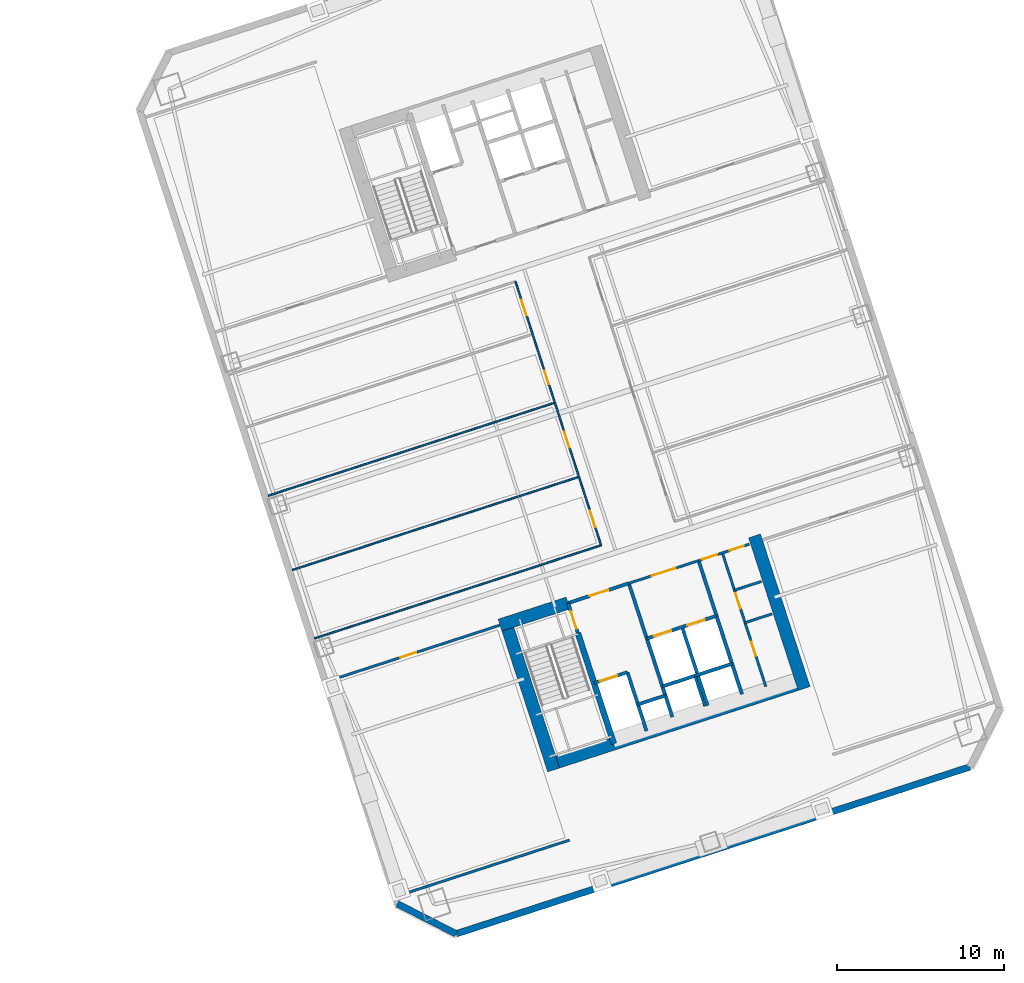
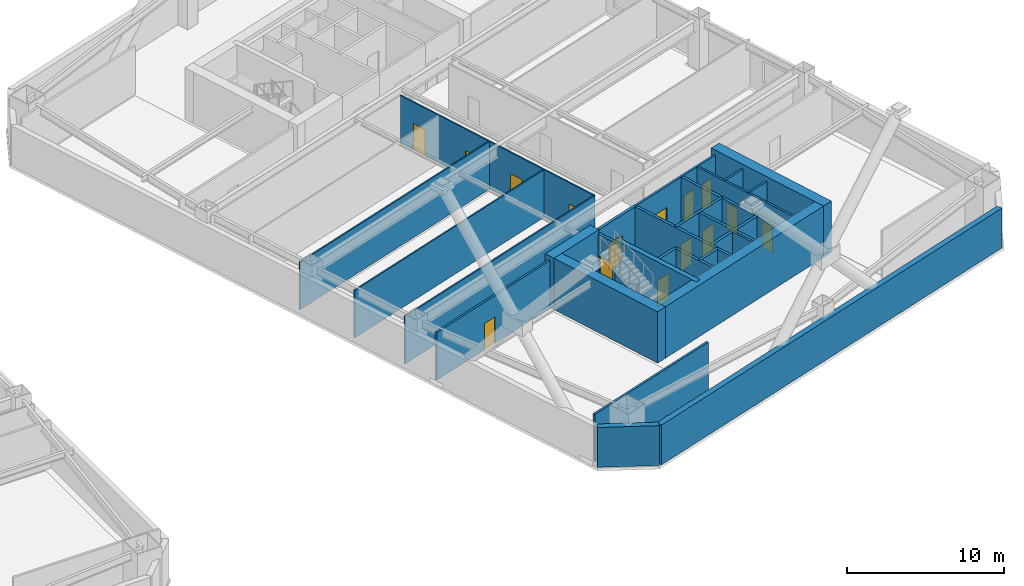
# One storey, part 7 of 18: 29 walls, 15 doors, 15 openings.
"""IFC4 building model written with IfcOpenShell, lengths in metres."""

from ifc_helpers import new_model, si_unit, direction, frame, frame_2d, origin, place, context, subcontext, project, spatial, rectangle, extrude, material, layer, layer_set, type_object, element, fill, save


model = new_model("IFC4")

# Units and contexts
model_context = context("Model", 3, precision=1e-05, world=origin(), true_north=direction((0.0, 1.0)))
body_context = subcontext(model_context, "Body", "Model", "MODEL_VIEW")
ifc_project = project(units=[si_unit("LENGTHUNIT", "METRE"), si_unit("AREAUNIT", "SQUARE_METRE"), si_unit("VOLUMEUNIT", "CUBIC_METRE"), si_unit("PLANEANGLEUNIT", "RADIAN"), si_unit("MASSUNIT", "GRAM", prefix="KILO")], contexts=[model_context])

# Site, building, storey
site_placement = place(None, origin())
site = spatial("IfcSite", under=ifc_project, at=site_placement, CompositionType="ELEMENT")
building_placement = place(site_placement, origin())
building = spatial("IfcBuilding", under=site, at=building_placement, Name="Qiaolan Cultural Towers", CompositionType="ELEMENT")
storey_placement = place(building_placement, frame((0.0, 0.0, 42.0)))
storey = spatial("IfcBuildingStorey", under=building, at=storey_placement, Name="L09", CompositionType="ELEMENT", Elevation=42.0)

# Walls
ifc_material_1 = material(Name="Concrete C50", Category="concrete")
ifc_layer_1 = layer(ifc_material_1, 0.35009765625)
ifc_layer_set_1 = layer_set([ifc_layer_1], Name="Concrete C50")
wall_type_1 = type_object("IfcWallType", Name="WL-CORE-350", PredefinedType="SHEAR", material=ifc_layer_set_1)
wall_1_placement = place(storey_placement, frame((90.486328125, 20.59423828125, 0.0), z_axis=(0.0, 0.0, 1.0), x_axis=(0.309020428229, -0.951055400562, 0.0)))
element("IfcWall", 1, at=wall_1_placement, inside=storey, type_object=wall_type_1, Name="L09 T2-CS Stair Core Dividing Web", PredefinedType="SHEAR", context=body_context, shape_type="SweptSolid", body=[
    extrude(rectangle(XDim=6.97998046875, YDim=0.35009765625, at=frame_2d((3.489990234375, 0.0))), origin(), (0.0, 0.0, 1.0), 4.0),
])
ifc_material_2 = material(Name="Concrete C60", Category="concrete")
ifc_layer_2 = layer(ifc_material_2, 0.75)
ifc_layer_set_2 = layer_set([ifc_layer_2], Name="Concrete C60")
wall_type_2 = type_object("IfcWallType", Name="WL-CORE-750", PredefinedType="SHEAR", material=ifc_layer_set_2)
wall_2_placement = place(storey_placement, frame((88.55859375, 12.628662109375, 0.0), z_axis=(0.0, 0.0, 1.0), x_axis=(0.951056072937, 0.309018358888, 0.0)))
element("IfcWall", 2, at=wall_2_placement, inside=storey, type_object=wall_type_2, Name="L09 T2-CS Outer Core Shear Wall", PredefinedType="SHEAR", context=body_context, shape_type="SweptSolid", body=[
    extrude(rectangle(XDim=16.550048828125, YDim=0.75, at=frame_2d((8.27490234375, 0.0))), origin(), (0.0, 0.0, 1.0), 4.0),
])
wall_3_placement = place(storey_placement, frame((86.05517578125, 21.54638671875, 0.0), z_axis=(0.0, 0.0, 1.0), x_axis=(0.309023585745, -0.951054374604, 0.0)))
element("IfcWall", 3, at=wall_3_placement, inside=storey, type_object=wall_type_2, Name="L09 T2-CS West Core Shear Wall", PredefinedType="SHEAR", context=body_context, shape_type="SweptSolid", body=[
    extrude(rectangle(XDim=9.6298828125, YDim=0.75, at=frame_2d((4.81494140625, 0.0))), origin(), (0.0, 0.0, 1.0), 4.0),
])
wall_4_placement = place(storey_placement, frame((101.08203125, 26.428955078125, 0.0), z_axis=(0.0, 0.0, 1.0), x_axis=(0.309016134813, -0.951056795583, 0.0)))
element("IfcWall", 4, at=wall_4_placement, inside=storey, type_object=wall_type_2, Name="L09 T2-CS East Core Shear Wall", PredefinedType="SHEAR", context=body_context, shape_type="SweptSolid", body=[
    extrude(rectangle(XDim=9.630126953125, YDim=0.75, at=frame_2d((4.81494140625, 0.0))), origin(), (0.0, 0.0, 1.0), 4.0),
])
wall_5_placement = place(storey_placement, frame((85.814453125, 21.073974609375, 0.0), z_axis=(0.0, 0.0, 1.0), x_axis=(0.95106580992, 0.308988390074, 0.0)))
element("IfcWall", 5, at=wall_5_placement, inside=storey, type_object=wall_type_2, Name="L09 T2-CS Stair Front Shear Wall", PredefinedType="SHEAR", context=body_context, shape_type="SweptSolid", body=[
    extrude(rectangle(XDim=4.295166015625, YDim=0.75, at=frame_2d((2.1474609375, 0.0))), origin(), (0.0, 0.0, 1.0), 4.0),
])
ifc_material_3 = material(Name="Precast Concrete C50 Honed Stone Pier", Category="masonry")
ifc_layer_3 = layer(ifc_material_3, 0.39990234375)
ifc_layer_set_3 = layer_set([ifc_layer_3], Name="Precast Concrete C50 Honed Stone Pier")
wall_type_3 = type_object("IfcWallType", Name="WL-EXT-PIER-400", PredefinedType="SOLIDWALL", material=ifc_layer_set_3)
wall_6_placement = place(storey_placement, frame((113.997802734375, 12.566650390625, 0.0), z_axis=(0.0, 0.0, 1.0), x_axis=(-0.951055939317, -0.309018770125, 0.0)))
element("IfcWall", 6, at=wall_6_placement, inside=storey, type_object=wall_type_3, Name="L09 East Tower Precast Pier Facade Wall F7", PredefinedType="SOLIDWALL", context=body_context, shape_type="SweptSolid", body=[
    extrude(rectangle(XDim=32.39990234375, YDim=0.39990234375, at=frame_2d((16.199951171875, 0.0))), origin(), (0.0, 0.0, 1.0), 3.10009765625),
])
wall_7_placement = place(storey_placement, frame((83.18359375, 2.554443359375, 0.0), z_axis=(0.0, 0.0, 1.0), x_axis=(-0.890998089617, 0.454007053137, 0.0)))
element("IfcWall", 7, at=wall_7_placement, inside=storey, type_object=wall_type_3, Name="L09 East Tower Precast Pier Facade Wall F8", PredefinedType="SOLIDWALL", context=body_context, shape_type="SweptSolid", body=[
    extrude(rectangle(XDim=3.9599609375, YDim=0.39990234375, at=frame_2d((1.97998046875, 0.0))), origin(), (0.0, 0.0, 1.0), 3.10009765625),
])

# Wall, opening, door
ifc_material_4 = material(Name="Concrete C35 Fire Wall", Category="concrete")
ifc_layer_4 = layer(ifc_material_4, 0.199951171875)
ifc_layer_set_4 = layer_set([ifc_layer_4], Name="Concrete C35 Fire Wall")
wall_type_4 = type_object("IfcWallType", Name="WL-FIRE-200", PredefinedType="PARTITIONING", material=ifc_layer_set_4)
wall_8_placement = place(storey_placement, frame((89.8994140625, 22.401123046875, 0.0), z_axis=(0.0, 0.0, 1.0), x_axis=(0.308932062672, -0.951084108086, 0.0)))
wall_8 = element("IfcWall", 8, at=wall_8_placement, inside=storey, type_object=wall_type_4, Name="L09 T2-CS Smokeproof Stair Entry Wall", PredefinedType="PARTITIONING", context=body_context, shape_type="SweptSolid", body=[
    extrude(rectangle(XDim=1.89990234375, YDim=0.199951171875, at=frame_2d((0.949951171875, 0.0))), origin(), (0.0, 0.0, 1.0), 3.705078125),
])
opening_1_placement = place(wall_8_placement, frame((0.52001953125, 0.0, 0.0)))
opening_1 = element("IfcOpeningElement", 9, at=opening_1_placement, cuts=wall_8, Name="Opening FD-04", PredefinedType="OPENING", context=body_context, shape_type="SweptSolid", body=[
    extrude(rectangle(XDim=1.10009765625, YDim=2.050048828125, at=frame_2d((0.550048828125, 1.02490234375))), frame((0.0, 0.10986328125, 0.0), z_axis=(0.0, -1.0, 0.0), x_axis=(1.0, 0.0, 0.0)), (0.0, 0.0, 1.0), 0.219970703125),
])
ifc_material_5 = material(Name="Galvanized Steel Command Fire Door", Category="steel")
door_type_1 = type_object("IfcDoorType", Name="DR-FD90-1100", OperationType="NOTDEFINED", PredefinedType="DOOR", material=ifc_material_5)
door_1_placement = place(opening_1_placement, origin())
door_1 = element("IfcDoor", 10, at=door_1_placement, inside=storey, type_object=door_type_1, Name="L09 ST-E1 Smokeproof Stair Fire Door", OperationType="SINGLE_SWING_LEFT", OverallHeight=2.050048828125, OverallWidth=1.10009765625, PredefinedType="DOOR", context=body_context, shape_type="SweptSolid", body=[
    extrude(rectangle(XDim=1.10009765625, YDim=2.050048828125, at=frame_2d((0.550048828125, 1.02490234375))), frame((0.0, 0.02490234375, 0.0), z_axis=(0.0, -1.0, 0.0), x_axis=(1.0, 0.0, 0.0)), (0.0, 0.0, 1.0), 0.050048828125),
])
fill(opening_1, door_1)

# Wall
wall_9_placement = place(storey_placement, frame((93.541748046875, 23.584716796875, 0.0), z_axis=(0.0, 0.0, 1.0), x_axis=(0.309042196757, -0.951048327176, 0.0)))
element("IfcWall", 11, at=wall_9_placement, inside=storey, type_object=wall_type_4, Name="L09 T2-CS Firefighting Zone Wall", PredefinedType="PARTITIONING", context=body_context, shape_type="SweptSolid", body=[
    extrude(rectangle(XDim=8.429931640625, YDim=0.199951171875, at=frame_2d((4.21484375, 0.0))), origin(), (0.0, 0.0, 1.0), 3.705078125),
])

# Wall, opening, door
wall_10_placement = place(storey_placement, frame((89.8994140625, 22.401123046875, 0.0), z_axis=(0.0, 0.0, 1.0), x_axis=(0.951046716504, 0.309047153403, 0.0)))
wall_10 = element("IfcWall", 12, at=wall_10_placement, inside=storey, type_object=wall_type_4, Name="L09 T2-CS Firefighting Lobby Front Wall", PredefinedType="PARTITIONING", context=body_context, shape_type="SweptSolid", body=[
    extrude(rectangle(XDim=3.829833984375, YDim=0.199951171875, at=frame_2d((1.9150390625, 0.0))), origin(), (0.0, 0.0, 1.0), 3.705078125),
])
opening_2_placement = place(wall_10_placement, frame((1.35009765625, 0.0, 0.0)))
opening_2 = element("IfcOpeningElement", 13, at=opening_2_placement, cuts=wall_10, Name="Opening FD-03", PredefinedType="OPENING", context=body_context, shape_type="SweptSolid", body=[
    extrude(rectangle(XDim=1.199951171875, YDim=2.050048828125, at=frame_2d((0.60009765625, 1.02490234375))), frame((0.0, 0.10986328125, 0.0), z_axis=(0.0, -1.0, 0.0), x_axis=(1.0, 0.0, 0.0)), (0.0, 0.0, 1.0), 0.219970703125),
])
ifc_material_6 = material(Name="Galvanized Steel Smokeproof Lobby Fire Door", Category="steel")
door_type_2 = type_object("IfcDoorType", Name="DR-FD90-1200", OperationType="NOTDEFINED", PredefinedType="DOOR", material=ifc_material_6)
door_2_placement = place(opening_2_placement, origin())
door_2 = element("IfcDoor", 14, at=door_2_placement, inside=storey, type_object=door_type_2, Name="L09 FFL-E1 Firefighting Lobby Fire Door", OperationType="SINGLE_SWING_LEFT", OverallHeight=2.050048828125, OverallWidth=1.199951171875, PredefinedType="DOOR", context=body_context, shape_type="SweptSolid", body=[
    extrude(rectangle(XDim=1.199951171875, YDim=2.050048828125, at=frame_2d((0.60009765625, 1.02490234375))), frame((0.0, 0.02490234375, 0.0), z_axis=(0.0, -1.0, 0.0), x_axis=(1.0, 0.0, 0.0)), (0.0, 0.0, 1.0), 0.050048828125),
])
fill(opening_2, door_2)

wall_11_placement = place(storey_placement, frame((91.459716796875, 17.598388671875, 0.0), z_axis=(0.0, 0.0, 1.0), x_axis=(0.951062257173, 0.308999325213, 0.0)))
wall_11 = element("IfcWall", 15, at=wall_11_placement, inside=storey, type_object=wall_type_4, Name="L09 T2-CS Firefighting Shaft Front Wall", PredefinedType="PARTITIONING", context=body_context, shape_type="SweptSolid", body=[
    extrude(rectangle(XDim=2.10009765625, YDim=0.199951171875, at=frame_2d((1.050048828125, 0.0))), origin(), (0.0, 0.0, 1.0), 3.705078125),
])
opening_3_placement = place(wall_11_placement, frame((0.35009765625, 0.0, 0.0)))
opening_3 = element("IfcOpeningElement", 16, at=opening_3_placement, cuts=wall_11, Name="Opening LD-01", PredefinedType="OPENING", context=body_context, shape_type="SweptSolid", body=[
    extrude(rectangle(XDim=1.10009765625, YDim=2.050048828125, at=frame_2d((0.550048828125, 1.02490234375))), frame((0.0, 0.10986328125, 0.0), z_axis=(0.0, -1.0, 0.0), x_axis=(1.0, 0.0, 0.0)), (0.0, 0.0, 1.0), 0.219970703125),
])
ifc_material_7 = material(Name="Brushed Stainless Steel S30408 Centre-Parting Lift Landing Door", Category="steel")
door_type_3 = type_object("IfcDoorType", Name="DR-LIFT-1100", OperationType="NOTDEFINED", PredefinedType="DOOR", material=ifc_material_7)
door_3_placement = place(opening_3_placement, origin())
door_3 = element("IfcDoor", 17, at=door_3_placement, inside=storey, type_object=door_type_3, Name="L09 FFL-E1 Firefighting Lift Landing Door", OperationType="DOUBLE_DOOR_SLIDING", OverallHeight=2.050048828125, OverallWidth=1.10009765625, PredefinedType="DOOR", context=body_context, shape_type="SweptSolid", body=[
    extrude(rectangle(XDim=1.10009765625, YDim=2.050048828125, at=frame_2d((0.550048828125, 1.02490234375))), frame((0.0, 0.02490234375, 0.0), z_axis=(0.0, -1.0, 0.0), x_axis=(1.0, 0.0, 0.0)), (0.0, 0.0, 1.0), 0.050048828125),
])
fill(opening_3, door_3)

# Walls
wall_12_placement = place(storey_placement, frame((93.45703125, 18.247314453125, 0.0), z_axis=(0.0, 0.0, 1.0), x_axis=(0.3089935693, -0.951064127245, 0.0)))
element("IfcWall", 18, at=wall_12_placement, inside=storey, type_object=wall_type_4, Name="L09 T2-CS Firefighting Hoistway East Wall", PredefinedType="PARTITIONING", context=body_context, shape_type="SweptSolid", body=[
    extrude(rectangle(XDim=3.7001953125, YDim=0.199951171875, at=frame_2d((1.85009765625, 0.0))), origin(), (0.0, 0.0, 1.0), 3.705078125),
])
wall_13_placement = place(storey_placement, frame((94.08447265625, 16.316650390625, 0.0), z_axis=(0.0, 0.0, 1.0), x_axis=(0.951041328149, 0.309063734775, 0.0)))
element("IfcWall", 19, at=wall_13_placement, inside=storey, type_object=wall_type_4, Name="L09 T2-CS Pressurization Shaft Front Wall", PredefinedType="PARTITIONING", context=body_context, shape_type="SweptSolid", body=[
    extrude(rectangle(XDim=1.72998046875, YDim=0.199951171875, at=frame_2d((0.864990234375, 0.0))), origin(), (0.0, 0.0, 1.0), 3.705078125),
])
wall_14_placement = place(storey_placement, frame((97.7265625, 24.9443359375, 0.0), z_axis=(0.0, 0.0, 1.0), x_axis=(0.309016001439, -0.951056838919, 0.0)))
element("IfcWall", 20, at=wall_14_placement, inside=storey, type_object=wall_type_4, Name="L09 T2-CS Lift Core East Wall", PredefinedType="PARTITIONING", context=body_context, shape_type="SweptSolid", body=[
    extrude(rectangle(XDim=8.429931640625, YDim=0.199951171875, at=frame_2d((4.21484375, 0.0))), origin(), (0.0, 0.0, 1.0), 3.705078125),
])

# Wall, openings, doors
wall_15_placement = place(storey_placement, frame((94.6171875, 20.275146484375, 0.0), z_axis=(0.0, 0.0, 1.0), x_axis=(0.951058531764, 0.30901079133, 0.0)))
wall_15 = element("IfcWall", 21, at=wall_15_placement, inside=storey, type_object=wall_type_4, Name="L09 T2-CS Passenger Lift Shaft Front Wall", PredefinedType="PARTITIONING", context=body_context, shape_type="SweptSolid", body=[
    extrude(rectangle(XDim=4.39990234375, YDim=0.199951171875, at=frame_2d((2.199951171875, 0.0))), origin(), (0.0, 0.0, 1.0), 3.705078125),
])
opening_4_placement = place(wall_15_placement, frame((0.449951171875, 0.0, 0.0)))
opening_4 = element("IfcOpeningElement", 22, at=opening_4_placement, cuts=wall_15, Name="Opening LD-01", PredefinedType="OPENING", context=body_context, shape_type="SweptSolid", body=[
    extrude(rectangle(XDim=1.10009765625, YDim=2.050048828125, at=frame_2d((0.550048828125, 1.02490234375))), frame((0.0, 0.10986328125, 0.0), z_axis=(0.0, -1.0, 0.0), x_axis=(1.0, 0.0, 0.0)), (0.0, 0.0, 1.0), 0.219970703125),
])
opening_5_placement = place(wall_15_placement, frame((2.550048828125, 0.0, 0.0)))
opening_5 = element("IfcOpeningElement", 23, at=opening_5_placement, cuts=wall_15, Name="Opening LD-01", PredefinedType="OPENING", context=body_context, shape_type="SweptSolid", body=[
    extrude(rectangle(XDim=1.10009765625, YDim=2.050048828125, at=frame_2d((0.550048828125, 1.02490234375))), frame((0.0, 0.10986328125, 0.0), z_axis=(0.0, -1.0, 0.0), x_axis=(1.0, 0.0, 0.0)), (0.0, 0.0, 1.0), 0.219970703125),
])
door_4_placement = place(opening_4_placement, origin())
door_4 = element("IfcDoor", 24, at=door_4_placement, inside=storey, type_object=door_type_3, Name="L09 Passenger Lift 1 Landing Door", OperationType="DOUBLE_DOOR_SLIDING", OverallHeight=2.050048828125, OverallWidth=1.10009765625, PredefinedType="DOOR", context=body_context, shape_type="SweptSolid", body=[
    extrude(rectangle(XDim=1.10009765625, YDim=2.050048828125, at=frame_2d((0.550048828125, 1.02490234375))), frame((0.0, 0.02490234375, 0.0), z_axis=(0.0, -1.0, 0.0), x_axis=(1.0, 0.0, 0.0)), (0.0, 0.0, 1.0), 0.050048828125),
])
fill(opening_4, door_4)
door_5_placement = place(opening_5_placement, origin())
door_5 = element("IfcDoor", 25, at=door_5_placement, inside=storey, type_object=door_type_3, Name="L09 Passenger Lift 2 Landing Door", OperationType="DOUBLE_DOOR_SLIDING", OverallHeight=2.050048828125, OverallWidth=1.10009765625, PredefinedType="DOOR", context=body_context, shape_type="SweptSolid", body=[
    extrude(rectangle(XDim=1.10009765625, YDim=2.050048828125, at=frame_2d((0.550048828125, 1.02490234375))), frame((0.0, 0.02490234375, 0.0), z_axis=(0.0, -1.0, 0.0), x_axis=(1.0, 0.0, 0.0)), (0.0, 0.0, 1.0), 0.050048828125),
])
fill(opening_5, door_5)

# Walls
wall_16_placement = place(storey_placement, frame((96.738037109375, 20.964111328125, 0.0), z_axis=(0.0, 0.0, 1.0), x_axis=(0.309042578481, -0.951048203135, 0.0)))
element("IfcWall", 26, at=wall_16_placement, inside=storey, type_object=wall_type_4, Name="L09 T2-CS Lift Shaft Divider Wall", PredefinedType="PARTITIONING", context=body_context, shape_type="SweptSolid", body=[
    extrude(rectangle(XDim=4.9501953125, YDim=0.199951171875, at=frame_2d((2.47509765625, 0.0))), origin(), (0.0, 0.0, 1.0), 3.705078125),
])
wall_17_placement = place(storey_placement, frame((95.550537109375, 17.40283203125, 0.0), z_axis=(0.0, 0.0, 1.0), x_axis=(0.951058531764, 0.30901079133, 0.0)))
element("IfcWall", 27, at=wall_17_placement, inside=storey, type_object=wall_type_4, Name="L09 T2-CS Passenger Lift Shaft Back Wall", PredefinedType="PARTITIONING", context=body_context, shape_type="SweptSolid", body=[
    extrude(rectangle(XDim=4.39990234375, YDim=0.199951171875, at=frame_2d((2.199951171875, 0.0))), origin(), (0.0, 0.0, 1.0), 3.705078125),
])
ifc_material_8 = material(Name="Acoustic Double-Glazed Partition Frame", Category="glass")
ifc_layer_5 = layer(ifc_material_8, 0.10009765625)
ifc_layer_set_5 = layer_set([ifc_layer_5], Name="Acoustic Double-Glazed Partition Frame")
wall_type_5 = type_object("IfcWallType", Name="WL-GLAZED-100", PredefinedType="MOVABLE", material=ifc_layer_set_5)
wall_18_placement = place(storey_placement, frame((74.691162109375, 20.277587890625, 0.0), z_axis=(0.0, 0.0, 1.0), x_axis=(0.951053521786, 0.309026210375, 0.0)))
element("IfcWall", 28, at=wall_18_placement, inside=storey, type_object=wall_type_5, Name="L09 T2 South Corridor Left Wall", PredefinedType="MOVABLE", context=body_context, shape_type="SweptSolid", body=[
    extrude(rectangle(XDim=18.0751953125, YDim=0.10009765625, at=frame_2d((9.03759765625, 0.0))), origin(), (0.0, 0.0, 1.0), 3.705078125),
])

# Wall, openings, doors
wall_19_placement = place(storey_placement, frame((91.881591796875, 25.86328125, 0.0), z_axis=(0.0, 0.0, 1.0), x_axis=(-0.309022042254, 0.951054876125, 0.0)))
wall_19 = element("IfcWall", 29, at=wall_19_placement, inside=storey, type_object=wall_type_5, Name="L09 T2 West Spine Wall", PredefinedType="MOVABLE", context=body_context, shape_type="SweptSolid", body=[
    extrude(rectangle(XDim=16.639892578125, YDim=0.10009765625, at=frame_2d((8.31982421875, 0.0))), origin(), (0.0, 0.0, 1.0), 3.705078125),
])
opening_6_placement = place(wall_19_placement, frame((1.159912109375, 0.0, 0.0)))
opening_6 = element("IfcOpeningElement", 30, at=opening_6_placement, cuts=wall_19, Name="Opening ID-04", PredefinedType="OPENING", context=body_context, shape_type="SweptSolid", body=[
    extrude(rectangle(XDim=1.0, YDim=2.050048828125, at=frame_2d((0.5, 1.02490234375))), frame((0.0, 0.06005859375, 0.0), z_axis=(0.0, -1.0, 0.0), x_axis=(1.0, 0.0, 0.0)), (0.0, 0.0, 1.0), 0.1201171875),
])
opening_7_placement = place(wall_19_placement, frame((6.159912109375, 0.0, 0.0)))
opening_7 = element("IfcOpeningElement", 31, at=opening_7_placement, cuts=wall_19, Name="Opening ID-04", PredefinedType="OPENING", context=body_context, shape_type="SweptSolid", body=[
    extrude(rectangle(XDim=1.0, YDim=2.050048828125, at=frame_2d((0.5, 1.02490234375))), frame((0.0, 0.06005859375, 0.0), z_axis=(0.0, -1.0, 0.0), x_axis=(1.0, 0.0, 0.0)), (0.0, 0.0, 1.0), 0.1201171875),
])
opening_8_placement = place(wall_19_placement, frame((10.159912109375, 0.0, 0.0)))
opening_8 = element("IfcOpeningElement", 32, at=opening_8_placement, cuts=wall_19, Name="Opening ID-09", PredefinedType="OPENING", context=body_context, shape_type="SweptSolid", body=[
    extrude(rectangle(XDim=0.85009765625, YDim=2.050048828125, at=frame_2d((0.425048828125, 1.02490234375))), frame((0.0, 0.06005859375, 0.0), z_axis=(0.0, -1.0, 0.0), x_axis=(1.0, 0.0, 0.0)), (0.0, 0.0, 1.0), 0.1201171875),
])
opening_9_placement = place(wall_19_placement, frame((14.47998046875, 0.0, 0.0)))
opening_9 = element("IfcOpeningElement", 33, at=opening_9_placement, cuts=wall_19, Name="Opening ID-04", PredefinedType="OPENING", context=body_context, shape_type="SweptSolid", body=[
    extrude(rectangle(XDim=1.0, YDim=2.050048828125, at=frame_2d((0.5, 1.02490234375))), frame((0.0, 0.06005859375, 0.0), z_axis=(0.0, -1.0, 0.0), x_axis=(1.0, 0.0, 0.0)), (0.0, 0.0, 1.0), 0.1201171875),
])
ifc_material_9 = material(Name="Oak Veneer Acoustic Office Door", Category="timber")
door_type_4 = type_object("IfcDoorType", Name="DR-INT-1000", OperationType="NOTDEFINED", PredefinedType="DOOR", material=ifc_material_9)
door_6_placement = place(opening_6_placement, origin())
door_6 = element("IfcDoor", 34, at=door_6_placement, inside=storey, type_object=door_type_4, Name="L09 T2 Project Briefing Room Door", OperationType="SINGLE_SWING_LEFT", OverallHeight=2.050048828125, OverallWidth=1.0, PredefinedType="DOOR", context=body_context, shape_type="SweptSolid", body=[
    extrude(rectangle(XDim=1.0, YDim=2.050048828125, at=frame_2d((0.5, 1.02490234375))), frame((0.0, 0.02490234375, 0.0), z_axis=(0.0, -1.0, 0.0), x_axis=(1.0, 0.0, 0.0)), (0.0, 0.0, 1.0), 0.050048828125),
])
fill(opening_6, door_6)
door_7_placement = place(opening_7_placement, origin())
door_7 = element("IfcDoor", 35, at=door_7_placement, inside=storey, type_object=door_type_4, Name="L09 T2 Curatorial Research Office Door", OperationType="SINGLE_SWING_LEFT", OverallHeight=2.050048828125, OverallWidth=1.0, PredefinedType="DOOR", context=body_context, shape_type="SweptSolid", body=[
    extrude(rectangle(XDim=1.0, YDim=2.050048828125, at=frame_2d((0.5, 1.02490234375))), frame((0.0, 0.02490234375, 0.0), z_axis=(0.0, -1.0, 0.0), x_axis=(1.0, 0.0, 0.0)), (0.0, 0.0, 1.0), 0.050048828125),
])
fill(opening_7, door_7)
door_8_placement = place(opening_9_placement, origin())
door_8 = element("IfcDoor", 36, at=door_8_placement, inside=storey, type_object=door_type_4, Name="L09 T2 Staff Lounge Door", OperationType="SINGLE_SWING_RIGHT", OverallHeight=2.050048828125, OverallWidth=1.0, PredefinedType="DOOR", context=body_context, shape_type="SweptSolid", body=[
    extrude(rectangle(XDim=1.0, YDim=2.050048828125, at=frame_2d((0.5, 1.02490234375))), frame((0.0, 0.02490234375, 0.0), z_axis=(0.0, -1.0, 0.0), x_axis=(1.0, 0.0, 0.0)), (0.0, 0.0, 1.0), 0.050048828125),
])
fill(opening_9, door_8)
ifc_material_10 = material(Name="Moisture-Resistant Laminate Utility Door", Category="timber")
door_type_5 = type_object("IfcDoorType", Name="DR-INT-850", OperationType="NOTDEFINED", PredefinedType="DOOR", material=ifc_material_10)
door_9_placement = place(opening_8_placement, origin())
door_9 = element("IfcDoor", 37, at=door_9_placement, inside=storey, type_object=door_type_5, Name="L09 T2 Wellness Consultation Room Door", OperationType="SINGLE_SWING_RIGHT", OverallHeight=2.050048828125, OverallWidth=0.85009765625, PredefinedType="DOOR", context=body_context, shape_type="SweptSolid", body=[
    extrude(rectangle(XDim=0.85009765625, YDim=2.050048828125, at=frame_2d((0.425048828125, 1.02490234375))), frame((0.0, 0.02490234375, 0.0), z_axis=(0.0, -1.0, 0.0), x_axis=(1.0, 0.0, 0.0)), (0.0, 0.0, 1.0), 0.050048828125),
])
fill(opening_8, door_9)

# Walls
for number, where, z_axis, x_axis, name in (
    (38, (73.356201171875, 24.38623046875, 0.0), (0.0, 0.0, 1.0), (0.951057491432, 0.309013993197, 0.0), "L09 T2 West Partition 2"),
    (39, (71.909912109375, 28.837158203125, 0.0), (0.0, 0.0, 1.0), (0.951057491432, 0.309013993197, 0.0), "L09 T2 West Partition 3"),
):
    element("IfcWall", number, at=place(storey_placement, frame(where, z_axis=z_axis, x_axis=x_axis)), inside=storey, type_object=wall_type_5, Name=name, PredefinedType="MOVABLE", context=body_context, shape_type="SweptSolid", body=[
        extrude(rectangle(XDim=18.074951171875, YDim=0.10009765625, at=frame_2d((9.03759765625, 0.0))), origin(), (0.0, 0.0, 1.0), 3.705078125),
    ])

# Wall, opening, door
ifc_material_11 = material(Name="Autoclaved Aerated Concrete Block B06", Category="concrete")
ifc_layer_6 = layer(ifc_material_11, 0.14990234375)
ifc_layer_set_6 = layer_set([ifc_layer_6], Name="Autoclaved Aerated Concrete Block B06")
wall_type_6 = type_object("IfcWallType", Name="WL-PART-150", PredefinedType="PARTITIONING", material=ifc_layer_set_6)
wall_20_placement = place(storey_placement, frame((93.541748046875, 23.584716796875, 0.0), z_axis=(0.0, 0.0, 1.0), x_axis=(0.951063829732, 0.308994485023, 0.0)))
wall_20 = element("IfcWall", 40, at=wall_20_placement, inside=storey, type_object=wall_type_6, Name="L09 T2-CS Passenger Lift Lobby Front Wall", PredefinedType="PARTITIONING", context=body_context, shape_type="SweptSolid", body=[
    extrude(rectangle(XDim=4.400146484375, YDim=0.14990234375, at=frame_2d((2.2001953125, 0.0))), origin(), (0.0, 0.0, 1.0), 3.705078125),
])
opening_10_placement = place(wall_20_placement, frame((1.449951171875, 0.0, 0.0)))
opening_10 = element("IfcOpeningElement", 41, at=opening_10_placement, cuts=wall_20, Name="Opening FD-05", PredefinedType="OPENING", context=body_context, shape_type="SweptSolid", body=[
    extrude(rectangle(XDim=1.5, YDim=2.050048828125, at=frame_2d((0.75, 1.02490234375))), frame((0.0, 0.0849609375, 0.0), z_axis=(0.0, -1.0, 0.0), x_axis=(1.0, 0.0, 0.0)), (0.0, 0.0, 1.0), 0.169921875),
])
ifc_material_12 = material(Name="Painted Steel Lift Lobby Fire Door", Category="steel")
door_type_6 = type_object("IfcDoorType", Name="DR-FD60-1500", OperationType="NOTDEFINED", PredefinedType="DOOR", material=ifc_material_12)
door_10_placement = place(opening_10_placement, origin())
door_10 = element("IfcDoor", 42, at=door_10_placement, inside=storey, type_object=door_type_6, Name="L09 Passenger Lift Lobby Entrance", OperationType="SINGLE_SWING_LEFT", OverallHeight=2.050048828125, OverallWidth=1.5, PredefinedType="DOOR", context=body_context, shape_type="SweptSolid", body=[
    extrude(rectangle(XDim=1.5, YDim=2.050048828125, at=frame_2d((0.75, 1.02490234375))), frame((0.0, 0.02490234375, 0.0), z_axis=(0.0, -1.0, 0.0), x_axis=(1.0, 0.0, 0.0)), (0.0, 0.0, 1.0), 0.050048828125),
])
fill(opening_10, door_10)

# Wall
wall_21_placement = place(storey_placement, frame((97.515625, 17.98876953125, 0.0), z_axis=(0.0, 0.0, 1.0), x_axis=(0.30897153969, -0.951071284217, 0.0)))
element("IfcWall", 43, at=wall_21_placement, inside=storey, type_object=wall_type_6, Name="L09 T2-CS Core Rear Split Wall", PredefinedType="PARTITIONING", context=body_context, shape_type="SweptSolid", body=[
    extrude(rectangle(XDim=1.8798828125, YDim=0.14990234375, at=frame_2d((0.93994140625, 0.0))), origin(), (0.0, 0.0, 1.0), 3.705078125),
])

# Wall, openings, doors
wall_22_placement = place(storey_placement, frame((97.7265625, 24.9443359375, 0.0), z_axis=(0.0, 0.0, 1.0), x_axis=(0.951036872128, 0.309077446369, 0.0)))
wall_22 = element("IfcWall", 44, at=wall_22_placement, inside=storey, type_object=wall_type_6, Name="L09 T2-CS Sanitary Core Front Wall", PredefinedType="PARTITIONING", context=body_context, shape_type="SweptSolid", body=[
    extrude(rectangle(XDim=3.199951171875, YDim=0.14990234375, at=frame_2d((1.60009765625, 0.0))), origin(), (0.0, 0.0, 1.0), 3.705078125),
])
opening_11_placement = place(wall_22_placement, frame((0.219970703125, 0.0, 0.0)))
opening_11 = element("IfcOpeningElement", 45, at=opening_11_placement, cuts=wall_22, Name="Opening ID-05", PredefinedType="OPENING", context=body_context, shape_type="SweptSolid", body=[
    extrude(rectangle(XDim=0.949951171875, YDim=2.050048828125, at=frame_2d((0.47509765625, 1.02490234375))), frame((0.0, 0.0849609375, 0.0), z_axis=(0.0, -1.0, 0.0), x_axis=(1.0, 0.0, 0.0)), (0.0, 0.0, 1.0), 0.169921875),
])
opening_12_placement = place(wall_22_placement, frame((1.949951171875, 0.0, 0.0)))
opening_12 = element("IfcOpeningElement", 46, at=opening_12_placement, cuts=wall_22, Name="Opening ID-06", PredefinedType="OPENING", context=body_context, shape_type="SweptSolid", body=[
    extrude(rectangle(XDim=0.89990234375, YDim=2.050048828125, at=frame_2d((0.449951171875, 1.02490234375))), frame((0.0, 0.0849609375, 0.0), z_axis=(0.0, -1.0, 0.0), x_axis=(1.0, 0.0, 0.0)), (0.0, 0.0, 1.0), 0.169921875),
])
ifc_material_13 = material(Name="Fire-Rated Laminate Core Service Door", Category="timber")
door_type_7 = type_object("IfcDoorType", Name="DR-INT-900", OperationType="NOTDEFINED", PredefinedType="DOOR", material=ifc_material_13)
door_11_placement = place(opening_12_placement, origin())
door_11 = element("IfcDoor", 47, at=door_11_placement, inside=storey, type_object=door_type_7, Name="L09 Core Tea Pantry Door", OperationType="SINGLE_SWING_RIGHT", OverallHeight=2.050048828125, OverallWidth=0.89990234375, PredefinedType="DOOR", context=body_context, shape_type="SweptSolid", body=[
    extrude(rectangle(XDim=0.89990234375, YDim=2.050048828125, at=frame_2d((0.449951171875, 1.02490234375))), frame((0.0, 0.02490234375, 0.0), z_axis=(0.0, -1.0, 0.0), x_axis=(1.0, 0.0, 0.0)), (0.0, 0.0, 1.0), 0.050048828125),
])
fill(opening_12, door_11)
ifc_material_14 = material(Name="Fire-Rated Laminate Accessible Core Door", Category="timber")
door_type_8 = type_object("IfcDoorType", Name="DR-INT-950", OperationType="NOTDEFINED", PredefinedType="DOOR", material=ifc_material_14)
door_12_placement = place(opening_11_placement, origin())
door_12 = element("IfcDoor", 48, at=door_12_placement, inside=storey, type_object=door_type_8, Name="L09 Sanitary Passage Door", OperationType="SINGLE_SWING_LEFT", OverallHeight=2.050048828125, OverallWidth=0.949951171875, PredefinedType="DOOR", context=body_context, shape_type="SweptSolid", body=[
    extrude(rectangle(XDim=0.949951171875, YDim=2.050048828125, at=frame_2d((0.47509765625, 1.02490234375))), frame((0.0, 0.02490234375, 0.0), z_axis=(0.0, -1.0, 0.0), x_axis=(1.0, 0.0, 0.0)), (0.0, 0.0, 1.0), 0.050048828125),
])
fill(opening_11, door_12)

wall_23_placement = place(storey_placement, frame((99.153076171875, 25.407958984375, 0.0), z_axis=(0.0, 0.0, 1.0), x_axis=(0.309016001439, -0.951056838919, 0.0)))
wall_23 = element("IfcWall", 49, at=wall_23_placement, inside=storey, type_object=wall_type_6, Name="L09 T2-CS Sanitary Corridor Wall", PredefinedType="PARTITIONING", context=body_context, shape_type="SweptSolid", body=[
    extrude(rectangle(XDim=8.429931640625, YDim=0.14990234375, at=frame_2d((4.21484375, 0.0))), origin(), (0.0, 0.0, 1.0), 3.705078125),
])
opening_13_placement = place(wall_23_placement, frame((2.550048828125, 0.0, 0.0)))
opening_13 = element("IfcOpeningElement", 50, at=opening_13_placement, cuts=wall_23, Name="Opening ID-05", PredefinedType="OPENING", context=body_context, shape_type="SweptSolid", body=[
    extrude(rectangle(XDim=0.949951171875, YDim=2.050048828125, at=frame_2d((0.47509765625, 1.02490234375))), frame((0.0, 0.0849609375, 0.0), z_axis=(0.0, -1.0, 0.0), x_axis=(1.0, 0.0, 0.0)), (0.0, 0.0, 1.0), 0.169921875),
])
opening_14_placement = place(wall_23_placement, frame((5.60009765625, 0.0, 0.0)))
opening_14 = element("IfcOpeningElement", 51, at=opening_14_placement, cuts=wall_23, Name="Opening ID-06", PredefinedType="OPENING", context=body_context, shape_type="SweptSolid", body=[
    extrude(rectangle(XDim=0.89990234375, YDim=2.050048828125, at=frame_2d((0.449951171875, 1.02490234375))), frame((0.0, 0.0849609375, 0.0), z_axis=(0.0, -1.0, 0.0), x_axis=(1.0, 0.0, 0.0)), (0.0, 0.0, 1.0), 0.169921875),
])
door_13_placement = place(opening_14_placement, origin())
door_13 = element("IfcDoor", 52, at=door_13_placement, inside=storey, type_object=door_type_7, Name="L09 Staff Restroom Door", OperationType="SINGLE_SWING_RIGHT", OverallHeight=2.050048828125, OverallWidth=0.89990234375, PredefinedType="DOOR", context=body_context, shape_type="SweptSolid", body=[
    extrude(rectangle(XDim=0.89990234375, YDim=2.050048828125, at=frame_2d((0.449951171875, 1.02490234375))), frame((0.0, 0.02490234375, 0.0), z_axis=(0.0, -1.0, 0.0), x_axis=(1.0, 0.0, 0.0)), (0.0, 0.0, 1.0), 0.050048828125),
])
fill(opening_14, door_13)
door_14_placement = place(opening_13_placement, origin())
door_14 = element("IfcDoor", 53, at=door_14_placement, inside=storey, type_object=door_type_8, Name="L09 Accessible Washroom Door", OperationType="SINGLE_SWING_LEFT", OverallHeight=2.050048828125, OverallWidth=0.949951171875, PredefinedType="DOOR", context=body_context, shape_type="SweptSolid", body=[
    extrude(rectangle(XDim=0.949951171875, YDim=2.050048828125, at=frame_2d((0.47509765625, 1.02490234375))), frame((0.0, 0.02490234375, 0.0), z_axis=(0.0, -1.0, 0.0), x_axis=(1.0, 0.0, 0.0)), (0.0, 0.0, 1.0), 0.050048828125),
])
fill(opening_13, door_14)

# Walls
for number, where, z_axis, x_axis, name in (
    (54, (100.5126953125, 21.223388671875, 0.0), (0.0, 0.0, 1.0), (0.951096313471, 0.308894484414, 0.0), "L09 T2-CS Restroom Split Wall"),
    (55, (99.879150390625, 23.1728515625, 0.0), (0.0, 0.0, 1.0), (0.951054116971, 0.309024378638, 0.0), "L09 T2-CS Core Pantry Wall"),
):
    element("IfcWall", number, at=place(storey_placement, frame(where, z_axis=z_axis, x_axis=x_axis)), inside=storey, type_object=wall_type_6, Name=name, PredefinedType="PARTITIONING", context=body_context, shape_type="SweptSolid", body=[
        extrude(rectangle(XDim=1.7001953125, YDim=0.14990234375, at=frame_2d((0.85009765625, 0.0))), origin(), (0.0, 0.0, 1.0), 3.705078125),
    ])
wall_24_placement = place(storey_placement, frame((79.70654296875, 4.842041015625, 0.0), z_axis=(0.0, 0.0, 1.0), x_axis=(0.951056658866, 0.309016555588, 0.0)))
element("IfcWall", 56, at=wall_24_placement, inside=storey, type_object=wall_type_6, Name="L09 T2 Flank Wall FLK-SW", PredefinedType="PARTITIONING", context=body_context, shape_type="SweptSolid", body=[
    extrude(rectangle(XDim=10.800048828125, YDim=0.14990234375, at=frame_2d((5.39990234375, 0.0))), origin(), (0.0, 0.0, 1.0), 3.705078125),
])

# Wall, opening, door
wall_25_placement = place(storey_placement, frame((75.519287109375, 17.728759765625, 0.0), z_axis=(0.0, 0.0, 1.0), x_axis=(0.951056658866, 0.309016555588, 0.0)))
wall_25 = element("IfcWall", 57, at=wall_25_placement, inside=storey, type_object=wall_type_6, Name="L09 T2 Flank Front FLK-SW", PredefinedType="PARTITIONING", context=body_context, shape_type="SweptSolid", body=[
    extrude(rectangle(XDim=10.800048828125, YDim=0.14990234375, at=frame_2d((5.39990234375, 0.0))), origin(), (0.0, 0.0, 1.0), 3.705078125),
])
opening_15_placement = place(wall_25_placement, frame((4.535888671875, 0.0, 0.0)))
opening_15 = element("IfcOpeningElement", 58, at=opening_15_placement, cuts=wall_25, Name="Opening ID-04", PredefinedType="OPENING", context=body_context, shape_type="SweptSolid", body=[
    extrude(rectangle(XDim=1.0, YDim=2.050048828125, at=frame_2d((0.5, 1.02490234375))), frame((0.0, 0.0849609375, 0.0), z_axis=(0.0, -1.0, 0.0), x_axis=(1.0, 0.0, 0.0)), (0.0, 0.0, 1.0), 0.169921875),
])
door_15_placement = place(opening_15_placement, origin())
door_15 = element("IfcDoor", 59, at=door_15_placement, inside=storey, type_object=door_type_4, Name="L09 T2 Corner Studio Door", OperationType="SINGLE_SWING_LEFT", OverallHeight=2.050048828125, OverallWidth=1.0, PredefinedType="DOOR", context=body_context, shape_type="SweptSolid", body=[
    extrude(rectangle(XDim=1.0, YDim=2.050048828125, at=frame_2d((0.5, 1.02490234375))), frame((0.0, 0.02490234375, 0.0), z_axis=(0.0, -1.0, 0.0), x_axis=(1.0, 0.0, 0.0)), (0.0, 0.0, 1.0), 0.050048828125),
])
fill(opening_15, door_15)

save(model, "model.ifc")
